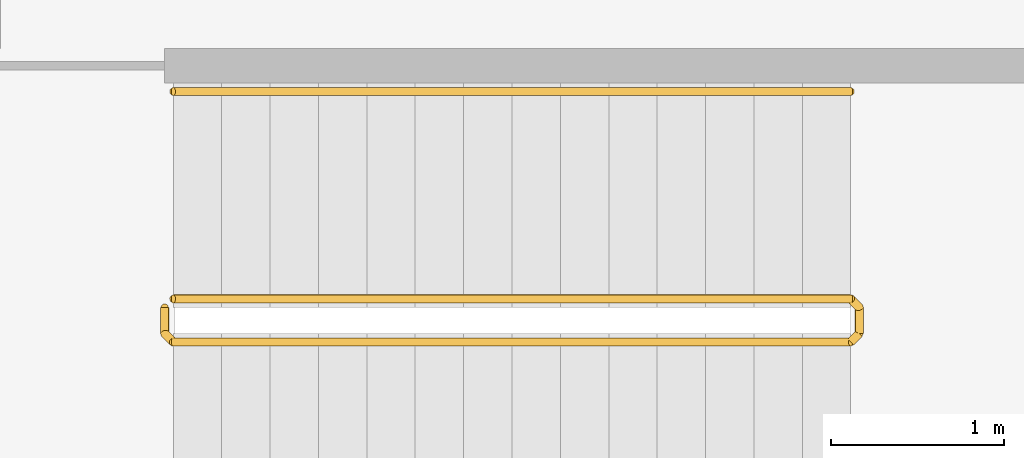
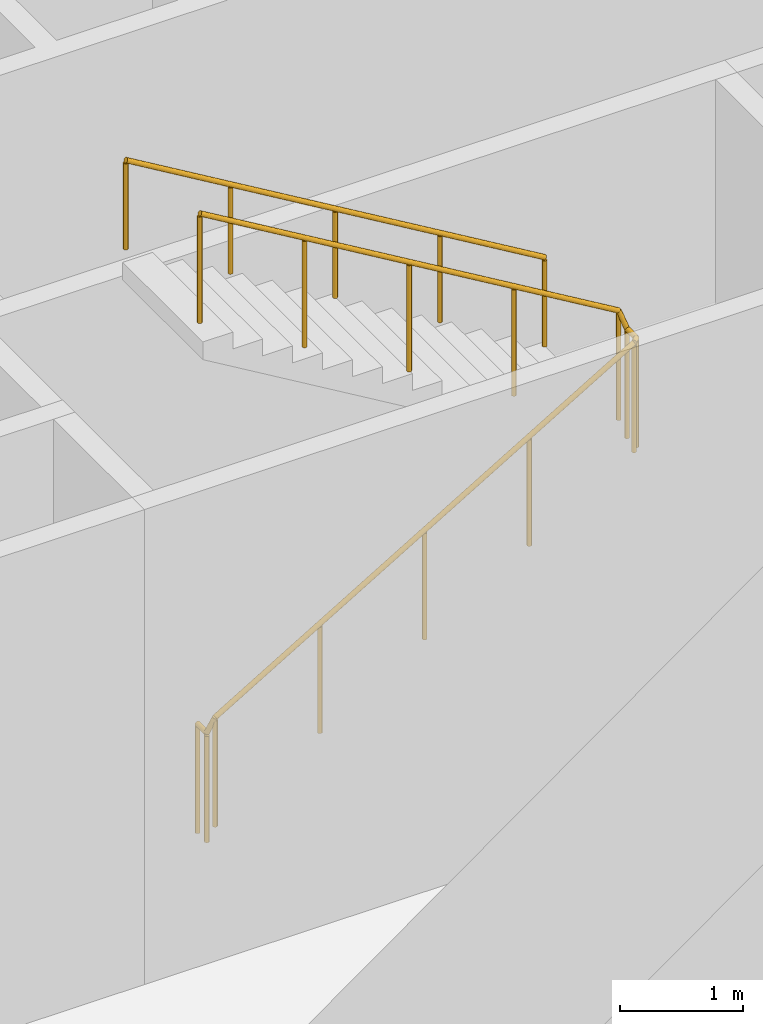
# One storey, part 33 of 38: 2 railings.
"""IFC4 building model written with IfcOpenShell, lengths in metres."""

import ifcopenshell
import ifcopenshell.guid

model = None  # the IFC model being written
_history = None  # IfcOwnerHistory: only IFC2X3 demands one
_inside = {}  # id of a spatial element -> (the spatial element, [elements in it])
_under = {}  # id of a project, library or spatial element -> (it, [spatial elements below it])
_declared = {}  # id of a project -> (the project, [libraries it declares])
_typed = {}  # id of a type object -> (the type object, [elements of that type])
_made_of = {}  # id of a material, layer set ... -> (it, [elements and type objects made of it])


def new_model(schema):
    """Start an empty IFC model of exactly this schema.

    Asked for "IFC4X3", IfcOpenShell would pick the latest addendum, in which some entities
    have other attributes; the version numbers below select the first issue.
    IFC2X3 requires an IfcOwnerHistory on every rooted entity: one is made here for all.
    """
    global model, _history
    if schema == "IFC4X3":
        model = ifcopenshell.file(schema_version=(4, 3, 0, 0))
    else:
        model = ifcopenshell.file(schema=schema)
    _inside.clear()
    _under.clear()
    _declared.clear()
    _typed.clear()
    _made_of.clear()
    _history = None
    if model.schema == "IFC2X3":
        org = make("IfcOrganization", Name="unknown")
        user = make(
            "IfcPersonAndOrganization",
            ThePerson=make("IfcPerson", FamilyName="unknown"),
            TheOrganization=org,
        )
        app = make(
            "IfcApplication",
            ApplicationDeveloper=org,
            Version="unknown",
            ApplicationFullName="unknown",
            ApplicationIdentifier="unknown",
        )
        _history = make(
            "IfcOwnerHistory",
            OwningUser=user,
            OwningApplication=app,
            ChangeAction="ADDED",
            CreationDate=0,
        )
    return model


def make(cls, **values):
    """One entity of the class cls with the attributes given. An attribute that is None is left unset."""
    return model.create_entity(
        cls, **{name: value for name, value in values.items() if value is not None}
    )


def rooted(cls, **values):
    """An entity with a GlobalId (a new one), such as an element, a storey or a relation."""
    return make(cls, GlobalId=ifcopenshell.guid.new(), OwnerHistory=_history, **values)


def si_unit(unit_type, name, prefix=None):
    """IfcSIUnit, for example si_unit("LENGTHUNIT", "METRE", prefix="MILLI")."""
    return make("IfcSIUnit", UnitType=unit_type, Prefix=prefix, Name=name)


def assignment(units):
    """IfcUnitAssignment: the units of a project."""
    return None if units is None else make("IfcUnitAssignment", Units=units)


def point(xyz):
    """IfcCartesianPoint."""
    return None if xyz is None else make("IfcCartesianPoint", Coordinates=xyz)


def direction(xyz):
    """IfcDirection."""
    return None if xyz is None else make("IfcDirection", DirectionRatios=xyz)


def frame(location, z_axis=None, x_axis=None):
    """IfcAxis2Placement3D, a coordinate frame: its origin and axes. An axis left out is left unset."""
    return make(
        "IfcAxis2Placement3D",
        Location=point(location),
        Axis=direction(z_axis),
        RefDirection=direction(x_axis),
    )


def frame_2d(location, x_axis=None):
    """IfcAxis2Placement2D, a coordinate frame in the plane: its origin and x axis."""
    return make(
        "IfcAxis2Placement2D", Location=point(location), RefDirection=direction(x_axis)
    )


def origin():
    """The frame at (0, 0, 0) with its axes left unset."""
    return frame((0.0, 0.0, 0.0))


def origin_2d():
    """The frame at (0, 0) in the plane with its x axis left unset."""
    return frame_2d((0.0, 0.0))


def place(relative_to, where):
    """IfcLocalPlacement: puts the frame where relative to a parent placement (None: the world)."""
    return make(
        "IfcLocalPlacement", PlacementRelTo=relative_to, RelativePlacement=where
    )


def context(
    kind, dimensions, precision=None, world=None, true_north=None, identifier=None
):
    """IfcGeometricRepresentationContext, for example the 3D "Model" context."""
    return make(
        "IfcGeometricRepresentationContext",
        ContextIdentifier=identifier,
        ContextType=kind,
        CoordinateSpaceDimension=dimensions,
        Precision=precision,
        WorldCoordinateSystem=world,
        TrueNorth=true_north,
    )


def subcontext(parent, identifier, kind, view, scale=None):
    """IfcGeometricRepresentationSubContext, for example "Body" below "Model"."""
    return make(
        "IfcGeometricRepresentationSubContext",
        ContextIdentifier=identifier,
        ContextType=kind,
        ParentContext=parent,
        TargetScale=scale,
        TargetView=view,
    )


def project(units=None, contexts=None):
    """IfcProject with its units and contexts."""
    return rooted(
        "IfcProject",
        Name="project",
        RepresentationContexts=contexts,
        UnitsInContext=assignment(units),
    )


def spatial(cls, under=None, at=None, **own):
    """A site, building, storey or space (cls), placed at a placement, below another one or the project."""
    s = rooted(cls, ObjectPlacement=at, **own)
    if under is not None:
        _under.setdefault(under.id(), (under, []))[1].append(s)
    return s


def profile(cls, at=None, kind="AREA", **sizes):
    """A parametric profile (cls). Its sizes go by their IFC names, for example OverallWidth=200.0."""
    return make(cls, ProfileType=kind, Position=at, **sizes)


def circle(**sizes):
    """IfcCircleProfileDef."""
    return profile("IfcCircleProfileDef", **sizes)


def extrude(swept, where, along, depth):
    """IfcExtrudedAreaSolid: the profile swept, set in the frame where, extruded along a direction by depth."""
    return make(
        "IfcExtrudedAreaSolid",
        SweptArea=swept,
        Position=where,
        ExtrudedDirection=direction(along),
        Depth=depth,
    )


def shape(context_of_items, identifier, shape_type, items):
    """IfcShapeRepresentation: the items that make up one representation, for example the "Body"."""
    return make(
        "IfcShapeRepresentation",
        ContextOfItems=context_of_items,
        RepresentationIdentifier=identifier,
        RepresentationType=shape_type,
        Items=items,
    )


def material(Name=None, Category=None):
    """IfcMaterial."""
    return make("IfcMaterial", Name=Name, Category=Category)


def made_of(thing, what):
    """Note that an element or type object is made of a material, layer set ...; save() writes the relation."""
    if what is not None:
        _made_of.setdefault(what.id(), (what, []))[1].append(thing)
    return thing


def type_object(cls, material=None, **own):
    """A type object (cls), such as IfcWallType, which elements share."""
    return made_of(rooted(cls, **own), material)


def element(
    cls,
    number,
    at=None,
    inside=None,
    cuts=None,
    type_object=None,
    material=None,
    context=None,
    identifier="Body",
    shape_type=None,
    held_by="IfcProductDefinitionShape",
    body=None,
    shapes=None,
    **own,
):
    """One element of the class cls, such as IfcWall. Its Tag is "e" and its number.

    at: its placement. inside: the storey or other place that contains it. cuts: it is an
    opening in that element (IfcRelVoidsElement). A single representation is given by context,
    identifier, shape_type and body (its items); several are given by shapes. held_by: the class
    of the entity that holds the representations. save() writes the other relations.
    """
    e = rooted(cls, Tag="e%d" % number, ObjectPlacement=at, **own)
    if body is not None:
        shapes = [shape(context, identifier, shape_type, body)]
    if shapes is not None:
        e.Representation = make(held_by, Representations=shapes)
    if inside is not None:
        _inside.setdefault(inside.id(), (inside, []))[1].append(e)
    if cuts is not None:
        rooted(
            "IfcRelVoidsElement", RelatingBuildingElement=cuts, RelatedOpeningElement=e
        )
    if type_object is not None:
        _typed.setdefault(type_object.id(), (type_object, []))[1].append(e)
    return made_of(e, material)


def aggregate(whole, parts):
    """IfcRelAggregates: a whole, such as a stair, and the parts it consists of."""
    return rooted("IfcRelAggregates", RelatingObject=whole, RelatedObjects=parts)


def save(model, path):
    """Write the relations noted so far, then the file.

    IfcRelAggregates (storeys below a building ...), IfcRelContainedInSpatialStructure (elements
    in a storey), IfcRelDefinesByType, IfcRelAssociatesMaterial and IfcRelDeclares: one each for
    every whole, place, type object, material and project.
    """
    for whole, parts in _under.values():
        aggregate(whole, parts)
    for where, things in _inside.values():
        rooted(
            "IfcRelContainedInSpatialStructure",
            RelatedElements=things,
            RelatingStructure=where,
        )
    for kind, things in _typed.values():
        rooted("IfcRelDefinesByType", RelatedObjects=things, RelatingType=kind)
    for what, things in _made_of.values():
        rooted("IfcRelAssociatesMaterial", RelatedObjects=things, RelatingMaterial=what)
    for by, libraries in _declared.values():
        rooted("IfcRelDeclares", RelatingContext=by, RelatedDefinitions=libraries)
    model.write(path)


model = new_model("IFC4")

# Units and contexts
model_context = context("Model", 3, precision=1e-05, world=origin(), true_north=direction((0.0, 1.0)))
body_context = subcontext(model_context, "Body", "Model", "MODEL_VIEW")
ifc_project = project(units=[si_unit("LENGTHUNIT", "METRE"), si_unit("AREAUNIT", "SQUARE_METRE"), si_unit("VOLUMEUNIT", "CUBIC_METRE"), si_unit("PLANEANGLEUNIT", "RADIAN"), si_unit("MASSUNIT", "GRAM", prefix="KILO")], contexts=[model_context])

# Site, building, storey
site_placement = place(None, origin())
site = spatial("IfcSite", under=ifc_project, at=site_placement, CompositionType="ELEMENT")
building_placement = place(site_placement, origin())
building = spatial("IfcBuilding", under=site, at=building_placement, Name="Corvane Civic Tower", CompositionType="ELEMENT")
storey_placement = place(building_placement, frame((0.0, 0.0, 32.0)))
storey = spatial("IfcBuildingStorey", under=building, at=storey_placement, Name="L06", CompositionType="ELEMENT", Elevation=32.0)

# Railings
ifc_material_1 = material(Name="Steel ASTM A572 Gr 50", Category="steel")
railing_type_1 = type_object("IfcRailingType", Name="ST-GUARD-1100", PredefinedType="GUARDRAIL", material=ifc_material_1)
railing_1_placement = place(storey_placement, frame((-8.949951171875, -8.75, 0.0)))
element("IfcRailing", 1, at=railing_1_placement, inside=storey, type_object=railing_type_1, Name="L06 ST3 stair guard 1", PredefinedType="GUARDRAIL", context=body_context, shape_type="SweptSolid", body=[
    extrude(circle(Radius=0.02392578125, at=origin_2d()), frame((0.0, 0.0, 1.076171875), z_axis=(0.0, -1.0, 0.0), x_axis=(1.0, 0.0, 0.0)), (0.0, 0.0, 1.0), 0.14990234375),
    extrude(circle(Radius=0.02392578125, at=origin_2d()), frame((0.0, -0.14990234375, 1.076171875), z_axis=(0.27628659633, -0.27628659633, 0.920506074601), x_axis=(0.707106781187, 0.707106781187, 0.0)), (0.0, 0.0, 1.0), 0.18115234375),
    extrude(circle(Radius=0.02392578125, at=origin_2d()), frame((0.050048828125, -0.199951171875, 1.24267578125), z_axis=(0.859296244711, 0.0, 0.511478214419), x_axis=(0.0, 1.0, 0.0)), (0.0, 0.0, 1.0), 4.561767578125),
    extrude(circle(Radius=0.02392578125, at=origin_2d()), frame((3.969970703125, -0.199951171875, 3.576171875), z_axis=(0.707106781187, 0.707106781187, 0.0), x_axis=(-0.707106781187, 0.707106781187, 0.0)), (0.0, 0.0, 1.0), 0.07080078125),
    extrude(circle(Radius=0.02392578125, at=origin_2d()), frame((4.02001953125, -0.14990234375, 3.576171875), z_axis=(0.0, 1.0, 0.0), x_axis=(-1.0, 0.0, 0.0)), (0.0, 0.0, 1.0), 0.14990234375),
    extrude(circle(Radius=0.02392578125, at=origin_2d()), frame((4.02001953125, 0.0, 3.576171875), z_axis=(-0.27628659633, 0.27628659633, 0.920506074601), x_axis=(-0.707106781187, -0.707106781187, 0.0)), (0.0, 0.0, 1.0), 0.18115234375),
    extrude(circle(Radius=0.02392578125, at=origin_2d()), frame((3.969970703125, 0.050048828125, 3.74267578125), z_axis=(-0.859296244711, 0.0, 0.511478214419), x_axis=(0.0, -1.0, 0.0)), (0.0, 0.0, 1.0), 4.561767578125),
    extrude(circle(Radius=0.02099609375, at=origin_2d()), origin(), (0.0, 0.0, 1.0), 1.052001953125),
    extrude(circle(Radius=0.02099609375, at=origin_2d()), frame((0.0, -0.14990234375, 0.0)), (0.0, 0.0, 1.0), 1.052001953125),
    extrude(circle(Radius=0.02099609375, at=origin_2d()), frame((0.050048828125, -0.199951171875, 0.166748046875)), (0.0, 0.0, 1.0), 1.052001953125),
    extrude(circle(Radius=0.02099609375, at=origin_2d()), frame((1.030029296875, -0.199951171875, 0.75)), (0.0, 0.0, 1.0), 1.052001953125),
    extrude(circle(Radius=0.02099609375, at=origin_2d()), frame((2.010009765625, -0.199951171875, 1.33349609375)), (0.0, 0.0, 1.0), 1.052001953125),
    extrude(circle(Radius=0.02099609375, at=origin_2d()), frame((2.989990234375, -0.199951171875, 1.916748046875)), (0.0, 0.0, 1.0), 1.052001953125),
    extrude(circle(Radius=0.02099609375, at=origin_2d()), frame((3.969970703125, -0.199951171875, 2.5)), (0.0, 0.0, 1.0), 1.052001953125),
    extrude(circle(Radius=0.02099609375, at=origin_2d()), frame((4.02001953125, -0.14990234375, 2.5)), (0.0, 0.0, 1.0), 1.052001953125),
    extrude(circle(Radius=0.02099609375, at=origin_2d()), frame((4.02001953125, 0.0, 2.5)), (0.0, 0.0, 1.0), 1.052001953125),
    extrude(circle(Radius=0.02099609375, at=origin_2d()), frame((3.969970703125, 0.050048828125, 2.666748046875)), (0.0, 0.0, 1.0), 1.052001953125),
    extrude(circle(Radius=0.02099609375, at=origin_2d()), frame((2.989990234375, 0.050048828125, 3.25)), (0.0, 0.0, 1.0), 1.052001953125),
    extrude(circle(Radius=0.02099609375, at=origin_2d()), frame((2.010009765625, 0.050048828125, 3.83349609375)), (0.0, 0.0, 1.0), 1.052001953125),
    extrude(circle(Radius=0.02099609375, at=origin_2d()), frame((1.030029296875, 0.050048828125, 4.416748046875)), (0.0, 0.0, 1.0), 1.052001953125),
    extrude(circle(Radius=0.02099609375, at=origin_2d()), frame((0.050048828125, 0.050048828125, 5.0)), (0.0, 0.0, 1.0), 1.052001953125),
])
ifc_material_2 = material(Name="Steel ASTM A572 Gr 50", Category="steel")
railing_type_2 = type_object("IfcRailingType", Name="ST-HANDRAIL-900", PredefinedType="HANDRAIL", material=ifc_material_2)
railing_2_placement = place(storey_placement, frame((-4.97998046875, -7.5, 2.666748046875)))
element("IfcRailing", 2, at=railing_2_placement, inside=storey, type_object=railing_type_2, Name="L06 ST3 stair handrail 2", PredefinedType="HANDRAIL", context=body_context, shape_type="SweptSolid", body=[
    extrude(circle(Radius=0.02392578125, at=origin_2d()), frame((0.0, 0.0, 0.8759765625), z_axis=(-0.859296244711, 0.0, 0.511478214419), x_axis=(0.0, -1.0, 0.0)), (0.0, 0.0, 1.0), 4.561767578125),
    extrude(circle(Radius=0.02099609375, at=origin_2d()), origin(), (0.0, 0.0, 1.0), 0.851806640625),
    extrude(circle(Radius=0.02099609375, at=origin_2d()), frame((-0.97998046875, 0.0, 0.583251953125)), (0.0, 0.0, 1.0), 0.851806640625),
    extrude(circle(Radius=0.02099609375, at=origin_2d()), frame((-1.9599609375, 0.0, 1.16650390625)), (0.0, 0.0, 1.0), 0.851806640625),
    extrude(circle(Radius=0.02099609375, at=origin_2d()), frame((-2.93994140625, 0.0, 1.75)), (0.0, 0.0, 1.0), 0.851806640625),
    extrude(circle(Radius=0.02099609375, at=origin_2d()), frame((-3.919921875, 0.0, 2.333251953125)), (0.0, 0.0, 1.0), 0.851806640625),
])

save(model, "model.ifc")
